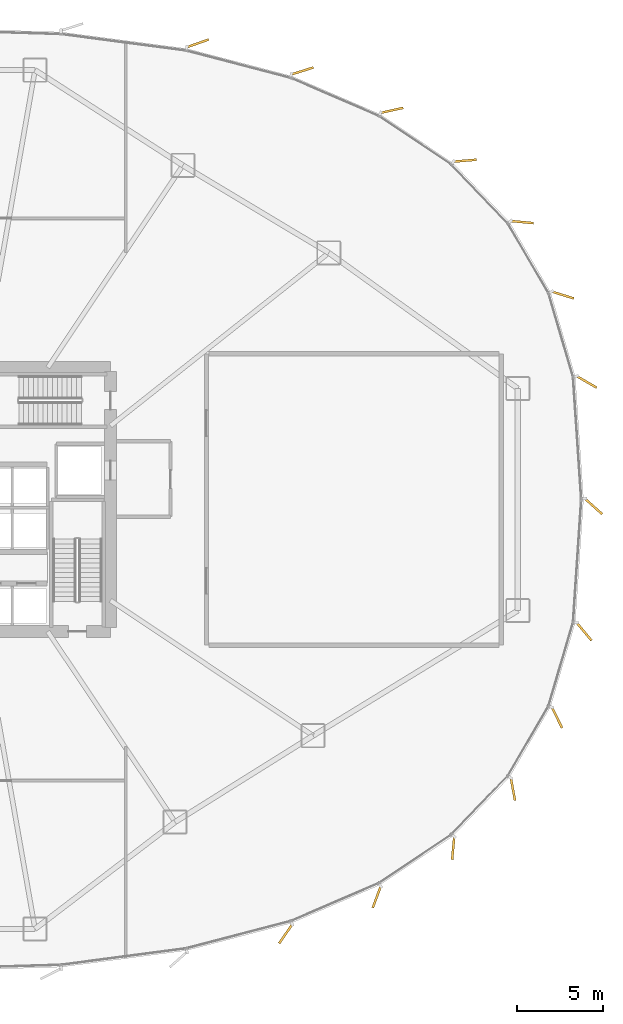
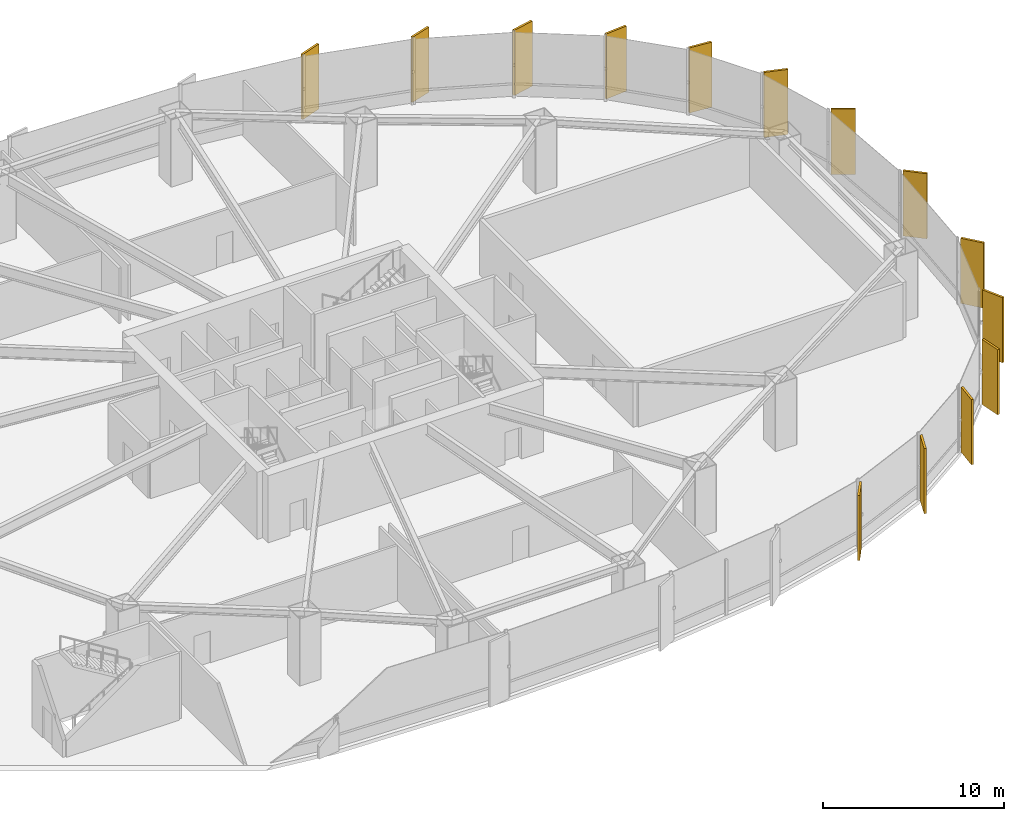
# One storey, part 33 of 33: 14 coverings.
"""IFC4 building model written with IfcOpenShell, lengths in metres."""

import ifcopenshell
import ifcopenshell.guid

model = None  # the IFC model being written
_history = None  # IfcOwnerHistory: only IFC2X3 demands one
_inside = {}  # id of a spatial element -> (the spatial element, [elements in it])
_under = {}  # id of a project, library or spatial element -> (it, [spatial elements below it])
_declared = {}  # id of a project -> (the project, [libraries it declares])
_typed = {}  # id of a type object -> (the type object, [elements of that type])
_made_of = {}  # id of a material, layer set ... -> (it, [elements and type objects made of it])


def new_model(schema):
    """Start an empty IFC model of exactly this schema.

    Asked for "IFC4X3", IfcOpenShell would pick the latest addendum, in which some entities
    have other attributes; the version numbers below select the first issue.
    IFC2X3 requires an IfcOwnerHistory on every rooted entity: one is made here for all.
    """
    global model, _history
    if schema == "IFC4X3":
        model = ifcopenshell.file(schema_version=(4, 3, 0, 0))
    else:
        model = ifcopenshell.file(schema=schema)
    _inside.clear()
    _under.clear()
    _declared.clear()
    _typed.clear()
    _made_of.clear()
    _history = None
    if model.schema == "IFC2X3":
        org = make("IfcOrganization", Name="unknown")
        user = make(
            "IfcPersonAndOrganization",
            ThePerson=make("IfcPerson", FamilyName="unknown"),
            TheOrganization=org,
        )
        app = make(
            "IfcApplication",
            ApplicationDeveloper=org,
            Version="unknown",
            ApplicationFullName="unknown",
            ApplicationIdentifier="unknown",
        )
        _history = make(
            "IfcOwnerHistory",
            OwningUser=user,
            OwningApplication=app,
            ChangeAction="ADDED",
            CreationDate=0,
        )
    return model


def make(cls, **values):
    """One entity of the class cls with the attributes given. An attribute that is None is left unset."""
    return model.create_entity(
        cls, **{name: value for name, value in values.items() if value is not None}
    )


def rooted(cls, **values):
    """An entity with a GlobalId (a new one), such as an element, a storey or a relation."""
    return make(cls, GlobalId=ifcopenshell.guid.new(), OwnerHistory=_history, **values)


def si_unit(unit_type, name, prefix=None):
    """IfcSIUnit, for example si_unit("LENGTHUNIT", "METRE", prefix="MILLI")."""
    return make("IfcSIUnit", UnitType=unit_type, Prefix=prefix, Name=name)


def assignment(units):
    """IfcUnitAssignment: the units of a project."""
    return None if units is None else make("IfcUnitAssignment", Units=units)


def point(xyz):
    """IfcCartesianPoint."""
    return None if xyz is None else make("IfcCartesianPoint", Coordinates=xyz)


def direction(xyz):
    """IfcDirection."""
    return None if xyz is None else make("IfcDirection", DirectionRatios=xyz)


def frame(location, z_axis=None, x_axis=None):
    """IfcAxis2Placement3D, a coordinate frame: its origin and axes. An axis left out is left unset."""
    return make(
        "IfcAxis2Placement3D",
        Location=point(location),
        Axis=direction(z_axis),
        RefDirection=direction(x_axis),
    )


def frame_2d(location, x_axis=None):
    """IfcAxis2Placement2D, a coordinate frame in the plane: its origin and x axis."""
    return make(
        "IfcAxis2Placement2D", Location=point(location), RefDirection=direction(x_axis)
    )


def origin():
    """The frame at (0, 0, 0) with its axes left unset."""
    return frame((0.0, 0.0, 0.0))


def origin_2d():
    """The frame at (0, 0) in the plane with its x axis left unset."""
    return frame_2d((0.0, 0.0))


def place(relative_to, where):
    """IfcLocalPlacement: puts the frame where relative to a parent placement (None: the world)."""
    return make(
        "IfcLocalPlacement", PlacementRelTo=relative_to, RelativePlacement=where
    )


def context(
    kind, dimensions, precision=None, world=None, true_north=None, identifier=None
):
    """IfcGeometricRepresentationContext, for example the 3D "Model" context."""
    return make(
        "IfcGeometricRepresentationContext",
        ContextIdentifier=identifier,
        ContextType=kind,
        CoordinateSpaceDimension=dimensions,
        Precision=precision,
        WorldCoordinateSystem=world,
        TrueNorth=true_north,
    )


def subcontext(parent, identifier, kind, view, scale=None):
    """IfcGeometricRepresentationSubContext, for example "Body" below "Model"."""
    return make(
        "IfcGeometricRepresentationSubContext",
        ContextIdentifier=identifier,
        ContextType=kind,
        ParentContext=parent,
        TargetScale=scale,
        TargetView=view,
    )


def project(units=None, contexts=None):
    """IfcProject with its units and contexts."""
    return rooted(
        "IfcProject",
        Name="project",
        RepresentationContexts=contexts,
        UnitsInContext=assignment(units),
    )


def spatial(cls, under=None, at=None, **own):
    """A site, building, storey or space (cls), placed at a placement, below another one or the project."""
    s = rooted(cls, ObjectPlacement=at, **own)
    if under is not None:
        _under.setdefault(under.id(), (under, []))[1].append(s)
    return s


def profile(cls, at=None, kind="AREA", **sizes):
    """A parametric profile (cls). Its sizes go by their IFC names, for example OverallWidth=200.0."""
    return make(cls, ProfileType=kind, Position=at, **sizes)


def rectangle(**sizes):
    """IfcRectangleProfileDef."""
    return profile("IfcRectangleProfileDef", **sizes)


def extrude(swept, where, along, depth):
    """IfcExtrudedAreaSolid: the profile swept, set in the frame where, extruded along a direction by depth."""
    return make(
        "IfcExtrudedAreaSolid",
        SweptArea=swept,
        Position=where,
        ExtrudedDirection=direction(along),
        Depth=depth,
    )


def shape(context_of_items, identifier, shape_type, items):
    """IfcShapeRepresentation: the items that make up one representation, for example the "Body"."""
    return make(
        "IfcShapeRepresentation",
        ContextOfItems=context_of_items,
        RepresentationIdentifier=identifier,
        RepresentationType=shape_type,
        Items=items,
    )


def source(mapping_origin, context_of_items, identifier, shape_type, items):
    """IfcRepresentationMap: a shape defined once, which mapped items show again and again."""
    return make(
        "IfcRepresentationMap",
        MappingOrigin=mapping_origin,
        MappedRepresentation=shape(context_of_items, identifier, shape_type, items),
    )


def transform(
    local_origin,
    x_axis=None,
    y_axis=None,
    z_axis=None,
    scale=None,
    scale2=None,
    scale3=None,
    uniform=True,
):
    """IfcCartesianTransformationOperator3D, or its non-uniform kind. x_axis, y_axis, z_axis: its Axis1, 2, 3."""
    if uniform:
        return make(
            "IfcCartesianTransformationOperator3D",
            Axis1=direction(x_axis),
            Axis2=direction(y_axis),
            LocalOrigin=point(local_origin),
            Scale=scale,
            Axis3=direction(z_axis),
        )
    return make(
        "IfcCartesianTransformationOperator3DnonUniform",
        Axis1=direction(x_axis),
        Axis2=direction(y_axis),
        LocalOrigin=point(local_origin),
        Scale=scale,
        Axis3=direction(z_axis),
        Scale2=scale2,
        Scale3=scale3,
    )


def mapped(mapping_source, mapping_target):
    """IfcMappedItem: shows the shape of a source again, moved by a transform."""
    return make(
        "IfcMappedItem", MappingSource=mapping_source, MappingTarget=mapping_target
    )


def material(Name=None, Category=None):
    """IfcMaterial."""
    return make("IfcMaterial", Name=Name, Category=Category)


def layer(
    of_material, thickness, ventilated=None, Name=None, Category=None, Priority=None
):
    """IfcMaterialLayer: one layer of a wall or slab, of a material (None: an air gap)."""
    return make(
        "IfcMaterialLayer",
        Material=of_material,
        LayerThickness=thickness,
        IsVentilated=ventilated,
        Name=Name,
        Category=Category,
        Priority=Priority,
    )


def layer_set(layers, Name=None):
    """IfcMaterialLayerSet."""
    return make("IfcMaterialLayerSet", MaterialLayers=layers, LayerSetName=Name)


def made_of(thing, what):
    """Note that an element or type object is made of a material, layer set ...; save() writes the relation."""
    if what is not None:
        _made_of.setdefault(what.id(), (what, []))[1].append(thing)
    return thing


def type_object(cls, material=None, **own):
    """A type object (cls), such as IfcWallType, which elements share."""
    return made_of(rooted(cls, **own), material)


def element(
    cls,
    number,
    at=None,
    inside=None,
    cuts=None,
    type_object=None,
    material=None,
    context=None,
    identifier="Body",
    shape_type=None,
    held_by="IfcProductDefinitionShape",
    body=None,
    shapes=None,
    **own,
):
    """One element of the class cls, such as IfcWall. Its Tag is "e" and its number.

    at: its placement. inside: the storey or other place that contains it. cuts: it is an
    opening in that element (IfcRelVoidsElement). A single representation is given by context,
    identifier, shape_type and body (its items); several are given by shapes. held_by: the class
    of the entity that holds the representations. save() writes the other relations.
    """
    e = rooted(cls, Tag="e%d" % number, ObjectPlacement=at, **own)
    if body is not None:
        shapes = [shape(context, identifier, shape_type, body)]
    if shapes is not None:
        e.Representation = make(held_by, Representations=shapes)
    if inside is not None:
        _inside.setdefault(inside.id(), (inside, []))[1].append(e)
    if cuts is not None:
        rooted(
            "IfcRelVoidsElement", RelatingBuildingElement=cuts, RelatedOpeningElement=e
        )
    if type_object is not None:
        _typed.setdefault(type_object.id(), (type_object, []))[1].append(e)
    return made_of(e, material)


def aggregate(whole, parts):
    """IfcRelAggregates: a whole, such as a stair, and the parts it consists of."""
    return rooted("IfcRelAggregates", RelatingObject=whole, RelatedObjects=parts)


def save(model, path):
    """Write the relations noted so far, then the file.

    IfcRelAggregates (storeys below a building ...), IfcRelContainedInSpatialStructure (elements
    in a storey), IfcRelDefinesByType, IfcRelAssociatesMaterial and IfcRelDeclares: one each for
    every whole, place, type object, material and project.
    """
    for whole, parts in _under.values():
        aggregate(whole, parts)
    for where, things in _inside.values():
        rooted(
            "IfcRelContainedInSpatialStructure",
            RelatedElements=things,
            RelatingStructure=where,
        )
    for kind, things in _typed.values():
        rooted("IfcRelDefinesByType", RelatedObjects=things, RelatingType=kind)
    for what, things in _made_of.values():
        rooted("IfcRelAssociatesMaterial", RelatedObjects=things, RelatingMaterial=what)
    for by, libraries in _declared.values():
        rooted("IfcRelDeclares", RelatingContext=by, RelatedDefinitions=libraries)
    model.write(path)


model = new_model("IFC4")

# Units and contexts
model_context = context("Model", 3, precision=1e-05, world=origin(), true_north=direction((0.0, 1.0)))
body_context = subcontext(model_context, "Body", "Model", "MODEL_VIEW")
ifc_project = project(units=[si_unit("LENGTHUNIT", "METRE"), si_unit("AREAUNIT", "SQUARE_METRE"), si_unit("VOLUMEUNIT", "CUBIC_METRE"), si_unit("PLANEANGLEUNIT", "RADIAN"), si_unit("MASSUNIT", "GRAM", prefix="KILO"), si_unit("THERMODYNAMICTEMPERATUREUNIT", "KELVIN")], contexts=[model_context])

# Site, building, storey
site_placement = place(None, origin())
site = spatial("IfcSite", under=ifc_project, at=site_placement, CompositionType="ELEMENT")
building_placement = place(site_placement, origin())
building = spatial("IfcBuilding", under=site, at=building_placement, Name="Kethvar Cultural Tower", CompositionType="ELEMENT")
storey_placement = place(building_placement, frame((0.0, 0.0, 10.0)))
storey = spatial("IfcBuildingStorey", under=building, at=storey_placement, Name="L02", CompositionType="ELEMENT", Elevation=10.0)

# Coverings
ifc_material = material(Name="Extruded Architectural Terracotta", Category="masonry")
ifc_layer = layer(ifc_material, 0.135009765625, Name="Extruded Architectural Terracotta", Category="masonry")
ifc_layer_set = layer_set([ifc_layer], Name="Extruded Architectural Terracotta (135 mm)")
covering_type = type_object("IfcCoveringType", Name="Terracotta Facade Fin FIN-04", PredefinedType="CLADDING", material=ifc_layer_set)
shared_shape = source(origin(), body_context, "Body", "SweptSolid", [
    extrude(rectangle(XDim=1.35009765625, YDim=0.135009765625, at=origin_2d()), origin(), (0.0, 0.0, 1.0), 4.39990234375),
])
for number, where, z_axis, x_axis, name in (
    (1, (83.77880859375, 27.403076171875, 0.02001953125), (0.0, 0.0, 1.0), (0.744194976126, -0.66796245217, 0.0), "L02 Vertical Terracotta Fin 1.1"),
    (2, (83.37890625, 34.66357421875, 0.02001953125), (0.0, 0.0, 1.0), (0.865850818101, -0.500302269426, 0.0), "L02 Vertical Terracotta Fin 1.2"),
    (3, (81.988525390625, 39.730712890625, 0.02001953125), (0.0, 0.0, 1.0), (0.954500927457, -0.298207946716, 0.0), "L02 Vertical Terracotta Fin 1.3"),
    (4, (79.6142578125, 43.986572265625, 0.02001953125), (0.0, 0.0, 1.0), (0.995676196569, -0.092891934994, 0.0), "L02 Vertical Terracotta Fin 1.4"),
    (5, (76.2802734375, 47.56884765625, 0.02001953125), (0.0, 0.0, 1.0), (0.996478239533, 0.083851762871, 0.0), "L02 Vertical Terracotta Fin 1.5"),
    (6, (72.01708984375, 50.50341796875, 0.02001953125), (0.0, 0.0, 1.0), (0.976371499317, 0.216098809163, 0.0), "L02 Vertical Terracotta Fin 1.6"),
    (7, (66.79052734375, 52.800537109375, 0.02001953125), (0.0, 0.0, 1.0), (0.954292506446, 0.298874241346, 0.0), "L02 Vertical Terracotta Fin 2.1"),
    (8, (60.697021484375, 54.413818359375, 0.02001953125), (0.0, 0.0, 1.0), (0.943338546589, 0.331831864835, 0.0), "L02 Vertical Terracotta Fin 2.2"),
    (9, (65.822021484375, 2.4619140625, 0.02001953125), (0.0, 0.0, 1.0), (-0.567556381667, -0.823334533242, 0.0), "L02 Vertical Terracotta Fin 5.5"),
    (10, (71.1357421875, 4.61669921875, 0.02001953125), (0.0, 0.0, 1.0), (-0.348081239861, -0.9374643729, 0.0), "L02 Vertical Terracotta Fin 5.6"),
    (11, (75.5927734375, 7.461669921875, 0.02001953125), (0.0, 0.0, 1.0), (-0.091501618663, -0.995804927575, 0.0), "L02 Vertical Terracotta Fin 6.1"),
    (12, (79.076904296875, 10.90234375, 0.02001953125), (0.0, 0.0, 1.0), (0.182750331554, -0.983159354488, 0.0), "L02 Vertical Terracotta Fin 6.2"),
    (13, (81.648193359375, 15.079345703125, 0.02001953125), (0.0, 0.0, 1.0), (0.43915532554, -0.898411153119, 0.0), "L02 Vertical Terracotta Fin 6.3"),
    (14, (83.229248046875, 20.09716796875, 0.02001953125), (0.0, 0.0, 1.0), (0.639707339446, -0.768618578918, 0.0), "L02 Vertical Terracotta Fin 6.4"),
):
    element("IfcCovering", number, at=place(storey_placement, frame(where, z_axis=z_axis, x_axis=x_axis)), inside=storey, type_object=covering_type, Name=name, PredefinedType="CLADDING", context=body_context, shape_type="MappedRepresentation", body=[
        mapped(shared_shape, transform((0.0, 0.0, 0.0), scale=1.0)),
    ])

save(model, "model.ifc")
